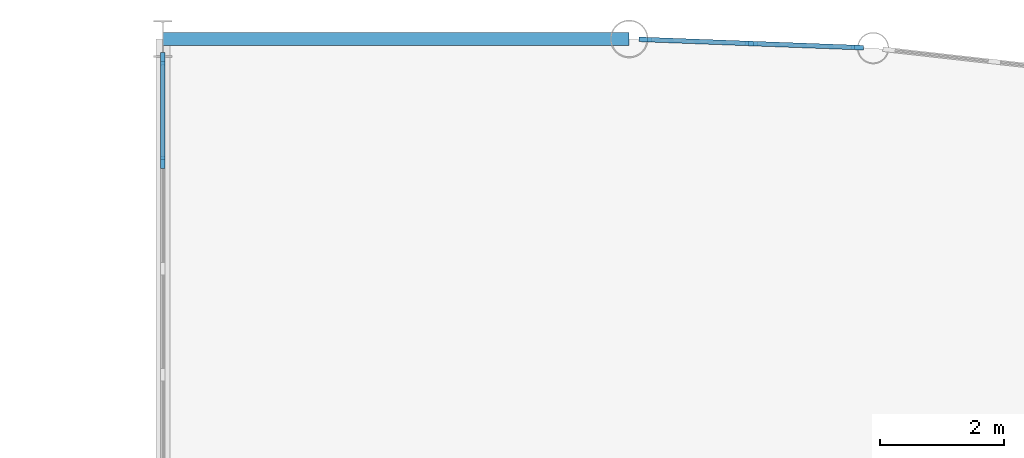
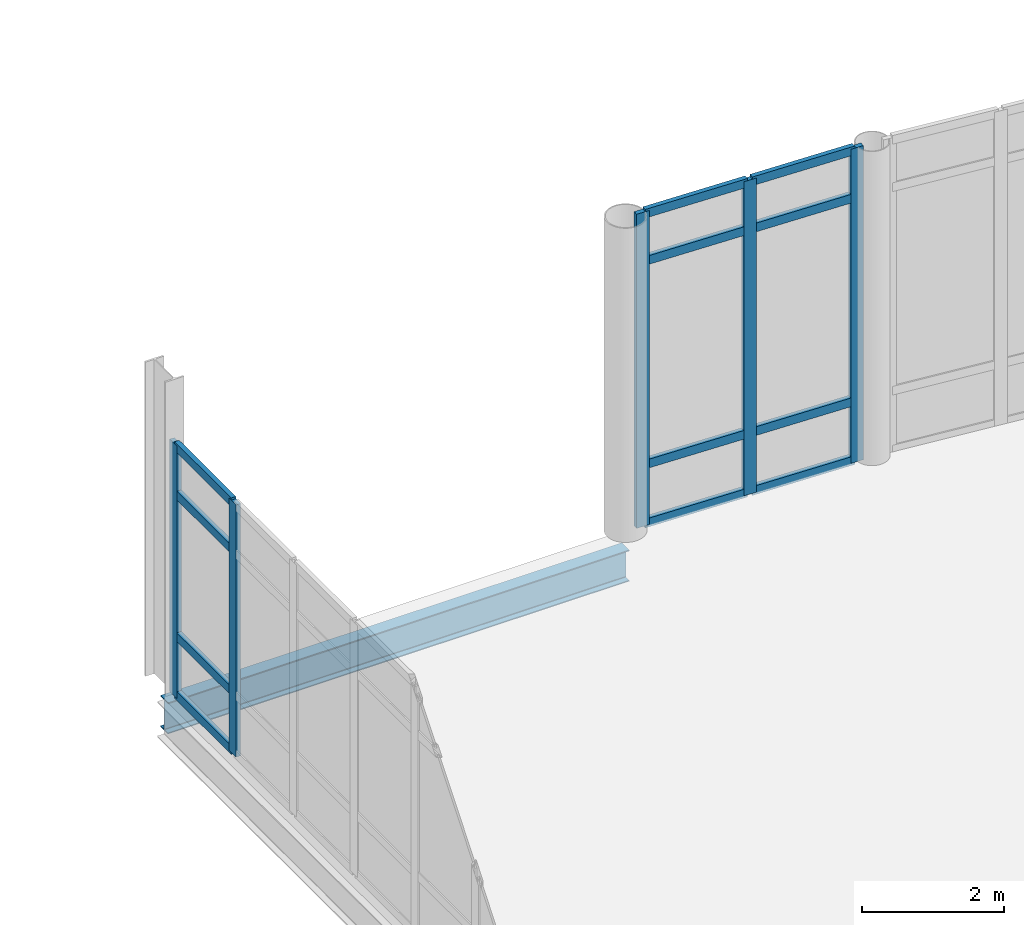
# One storey, part 62 of 111: 17 members, 1 beam, 2 elements without a shape of their own.
"""IFC4 building model written with IfcOpenShell, lengths in metres."""

from ifc_helpers import new_model, si_unit, direction, frame, origin, origin_2d, place, context, subcontext, project, spatial, rectangle, i_section, extrude, material, layer, layer_set, material_profile, profile_set, type_object, element, aggregate, save


model = new_model("IFC4")

# Units and contexts
model_context = context("Model", 3, precision=1e-05, world=origin(), true_north=direction((0.0, 1.0)))
body_context = subcontext(model_context, "Body", "Model", "MODEL_VIEW")
ifc_project = project(units=[si_unit("LENGTHUNIT", "METRE"), si_unit("AREAUNIT", "SQUARE_METRE"), si_unit("VOLUMEUNIT", "CUBIC_METRE"), si_unit("PLANEANGLEUNIT", "RADIAN"), si_unit("MASSUNIT", "GRAM", prefix="KILO"), si_unit("THERMODYNAMICTEMPERATUREUNIT", "KELVIN"), si_unit("POWERUNIT", "WATT")], contexts=[model_context])

# Site, building, storey
site_placement = place(None, origin())
site = spatial("IfcSite", under=ifc_project, at=site_placement, CompositionType="ELEMENT")
building_placement = place(site_placement, origin())
building = spatial("IfcBuilding", under=site, at=building_placement, Name="Tembeka Court Mobility Hub", CompositionType="ELEMENT")
storey_placement = place(building_placement, origin())
storey = spatial("IfcBuildingStorey", under=building, at=storey_placement, Name="L00", CompositionType="ELEMENT", Elevation=0.0)

# Beam
ifc_material_1 = material(Name="Steel S355", Category="steel")
ifc_material_profile_1 = material_profile(ifc_material_1, i_section(OverallWidth=0.2099609375, OverallDepth=0.537109375, WebThickness=0.0107421875, FlangeThickness=0.017333984375, FilletRadius=0.0126953125, at=origin_2d()), Name="UKB 533x210x101")
ifc_profile_set_1 = profile_set([ifc_material_profile_1], Name="Steel S355")
beam_type = type_object("IfcBeamType", Name="BM-G03", PredefinedType="USERDEFINED", material=ifc_profile_set_1)
beam_placement = place(storey_placement, frame((116.39990234375, 118.800048828125, -0.548583984375), z_axis=(1.0, 0.0, 0.0), x_axis=(0.0, 1.0, 0.0)))
element("IfcBeam", 1, at=beam_placement, inside=storey, type_object=beam_type, Name="Beam G03 (BM-L00-X0163)", ObjectType="GIRDER", PredefinedType="USERDEFINED", context=body_context, shape_type="SweptSolid", body=[
    extrude(i_section(OverallWidth=0.2099609375, OverallDepth=0.537109375, WebThickness=0.0107421875, FlangeThickness=0.017333984375, FilletRadius=0.0126953125, at=origin_2d()), origin(), (0.0, 0.0, 1.0), 7.5),
])

# Curtain wall, members
ifc_material_2 = material(Name="Anodised aluminium 6063-T6", Category="aluminium")
ifc_layer_1 = layer(ifc_material_2, 0.199951171875)
ifc_layer_set_1 = layer_set([ifc_layer_1], Name="Anodised aluminium 6063-T6")
curtain_wall_type_1 = type_object("IfcCurtainWallType", Name="CW-SYS24", PredefinedType="USERDEFINED", material=ifc_layer_set_1)
curtain_wall_1_placement = place(storey_placement, origin())
curtain_wall_1 = element("IfcCurtainWall", 2, at=curtain_wall_1_placement, inside=storey, type_object=curtain_wall_type_1, Name="Unitised curtain wall CW24 (CW-L00-081)", ObjectType="UNITISED GLAZING", PredefinedType="USERDEFINED")
ifc_material_profile_2 = material_profile(ifc_material_2, rectangle(XDim=0.074951171875, YDim=0.199951171875, at=origin_2d()), Name="ALU-MUL 75x200")
ifc_profile_set_2 = profile_set([ifc_material_profile_2], Name="Anodised aluminium 6063-T6")
member_type_1 = type_object("IfcMemberType", Name="CW-MUL02", PredefinedType="MULLION", material=ifc_profile_set_2)
member_1_placement = place(storey_placement, frame((127.56591796875, 118.662841796875, 0.0), z_axis=(0.0, 0.0, 1.0), x_axis=(-0.037405271186, -0.999300177968, 0.0)))
member_1 = element("IfcMember", 3, at=member_1_placement, type_object=member_type_1, Name="CW24 mullion 1", PredefinedType="MULLION", context=body_context, shape_type="SweptSolid", body=[
    extrude(rectangle(XDim=0.074951171875, YDim=0.199951171875, at=origin_2d()), origin(), (0.0, 0.0, 1.0), 5.39990234375),
])
member_2_placement = place(storey_placement, frame((125.861572265625, 118.7265625, 0.0), z_axis=(0.0, 0.0, 1.0), x_axis=(-0.037405271186, -0.999300177968, 0.0)))
member_2 = element("IfcMember", 4, at=member_2_placement, type_object=member_type_1, Name="CW24 mullion 2", PredefinedType="MULLION", context=body_context, shape_type="SweptSolid", body=[
    extrude(rectangle(XDim=0.074951171875, YDim=0.199951171875, at=origin_2d()), origin(), (0.0, 0.0, 1.0), 5.39990234375),
])
member_3_placement = place(storey_placement, frame((124.1572265625, 118.790283203125, 0.0), z_axis=(0.0, 0.0, 1.0), x_axis=(-0.037405271186, -0.999300177968, 0.0)))
member_3 = element("IfcMember", 5, at=member_3_placement, type_object=member_type_1, Name="CW24 mullion 3", PredefinedType="MULLION", context=body_context, shape_type="SweptSolid", body=[
    extrude(rectangle(XDim=0.074951171875, YDim=0.199951171875, at=origin_2d()), origin(), (0.0, 0.0, 1.0), 5.39990234375),
])

ifc_layer_2 = layer(ifc_material_2, 0.159912109375)
ifc_layer_set_2 = layer_set([ifc_layer_2], Name="Anodised aluminium 6063-T6")
curtain_wall_type_2 = type_object("IfcCurtainWallType", Name="CW-SYS18", PredefinedType="USERDEFINED", material=ifc_layer_set_2)
curtain_wall_2_placement = place(storey_placement, origin())
curtain_wall_2 = element("IfcCurtainWall", 6, at=curtain_wall_2_placement, inside=storey, type_object=curtain_wall_type_2, Name="Unitised curtain wall CW18 (CW-L00-091)", ObjectType="UNITISED GLAZING", PredefinedType="USERDEFINED")
member_4_placement = place(storey_placement, frame((116.39990234375, 116.813232421875, 0.0), z_axis=(0.0, 0.0, 1.0), x_axis=(-1.0, 0.0, 0.0)))
member_4 = element("IfcMember", 7, at=member_4_placement, type_object=member_type_1, Name="CW18 mullion 6", PredefinedType="MULLION", context=body_context, shape_type="SweptSolid", body=[
    extrude(rectangle(XDim=0.074951171875, YDim=0.199951171875, at=origin_2d()), origin(), (0.0, 0.0, 1.0), 4.3349609375),
])
member_5_placement = place(storey_placement, frame((116.39990234375, 118.482421875, 0.0), z_axis=(0.0, 0.0, 1.0), x_axis=(-1.0, 0.0, 0.0)))
member_5 = element("IfcMember", 8, at=member_5_placement, type_object=member_type_1, Name="CW18 mullion 7", PredefinedType="MULLION", context=body_context, shape_type="SweptSolid", body=[
    extrude(rectangle(XDim=0.074951171875, YDim=0.199951171875, at=origin_2d()), origin(), (0.0, 0.0, 1.0), 4.3349609375),
])

# Member
ifc_material_profile_3 = material_profile(ifc_material_2, rectangle(XDim=0.074951171875, YDim=0.14990234375, at=origin_2d()), Name="ALU-TRN 75x150")
ifc_profile_set_3 = profile_set([ifc_material_profile_3], Name="Anodised aluminium 6063-T6")
member_type_2 = type_object("IfcMemberType", Name="CW-TRN02", PredefinedType="USERDEFINED", material=ifc_profile_set_3)
member_6_placement = place(storey_placement, frame((127.528564453125, 118.664306640625, 0.03759765625), z_axis=(-0.999304746485, 0.037283020958, 0.0), x_axis=(-0.037283020958, -0.999304746485, 0.0)))
member_6 = element("IfcMember", 9, at=member_6_placement, type_object=member_type_2, Name="CW24 transom 1.1", ObjectType="TRANSOM", PredefinedType="USERDEFINED", context=body_context, shape_type="SweptSolid", body=[
    extrude(rectangle(XDim=0.074951171875, YDim=0.14990234375, at=origin_2d()), origin(), (0.0, 0.0, 1.0), 1.630615234375),
])

member_7_placement = place(storey_placement, frame((127.528564453125, 118.664306640625, 1.050048828125), z_axis=(-0.999304746485, 0.037283020958, 0.0), x_axis=(-0.037283020958, -0.999304746485, 0.0)))
member_7 = element("IfcMember", 10, at=member_7_placement, type_object=member_type_2, Name="CW24 transom 1.2", ObjectType="TRANSOM", PredefinedType="USERDEFINED", context=body_context, shape_type="SweptSolid", body=[
    extrude(rectangle(XDim=0.074951171875, YDim=0.14990234375, at=origin_2d()), origin(), (0.0, 0.0, 1.0), 1.630615234375),
])

member_8_placement = place(storey_placement, frame((127.528564453125, 118.664306640625, 4.550048828125), z_axis=(-0.999304746485, 0.037283020958, 0.0), x_axis=(-0.037283020958, -0.999304746485, 0.0)))
member_8 = element("IfcMember", 11, at=member_8_placement, type_object=member_type_2, Name="CW24 transom 1.3", ObjectType="TRANSOM", PredefinedType="USERDEFINED", context=body_context, shape_type="SweptSolid", body=[
    extrude(rectangle(XDim=0.074951171875, YDim=0.14990234375, at=origin_2d()), origin(), (0.0, 0.0, 1.0), 1.630615234375),
])

member_9_placement = place(storey_placement, frame((127.528564453125, 118.664306640625, 5.362548828125), z_axis=(-0.999304746485, 0.037283020958, 0.0), x_axis=(-0.037283020958, -0.999304746485, 0.0)))
member_9 = element("IfcMember", 12, at=member_9_placement, type_object=member_type_2, Name="CW24 transom 1.4", ObjectType="TRANSOM", PredefinedType="USERDEFINED", context=body_context, shape_type="SweptSolid", body=[
    extrude(rectangle(XDim=0.074951171875, YDim=0.14990234375, at=origin_2d()), origin(), (0.0, 0.0, 1.0), 1.630615234375),
])

member_10_placement = place(storey_placement, frame((125.82421875, 118.72802734375, 0.03759765625), z_axis=(-0.999299156787, 0.037432542583, 0.0), x_axis=(-0.037432542583, -0.999299156787, 0.0)))
member_10 = element("IfcMember", 13, at=member_10_placement, type_object=member_type_2, Name="CW24 transom 2.1", ObjectType="TRANSOM", PredefinedType="USERDEFINED", context=body_context, shape_type="SweptSolid", body=[
    extrude(rectangle(XDim=0.074951171875, YDim=0.14990234375, at=origin_2d()), origin(), (0.0, 0.0, 1.0), 1.630615234375),
])

member_11_placement = place(storey_placement, frame((125.82421875, 118.72802734375, 1.050048828125), z_axis=(-0.999299156787, 0.037432542583, 0.0), x_axis=(-0.037432542583, -0.999299156787, 0.0)))
member_11 = element("IfcMember", 14, at=member_11_placement, type_object=member_type_2, Name="CW24 transom 2.2", ObjectType="TRANSOM", PredefinedType="USERDEFINED", context=body_context, shape_type="SweptSolid", body=[
    extrude(rectangle(XDim=0.074951171875, YDim=0.14990234375, at=origin_2d()), origin(), (0.0, 0.0, 1.0), 1.630615234375),
])

member_12_placement = place(storey_placement, frame((125.82421875, 118.72802734375, 4.550048828125), z_axis=(-0.999299156787, 0.037432542583, 0.0), x_axis=(-0.037432542583, -0.999299156787, 0.0)))
member_12 = element("IfcMember", 15, at=member_12_placement, type_object=member_type_2, Name="CW24 transom 2.3", ObjectType="TRANSOM", PredefinedType="USERDEFINED", context=body_context, shape_type="SweptSolid", body=[
    extrude(rectangle(XDim=0.074951171875, YDim=0.14990234375, at=origin_2d()), origin(), (0.0, 0.0, 1.0), 1.630615234375),
])

member_13_placement = place(storey_placement, frame((125.82421875, 118.72802734375, 5.362548828125), z_axis=(-0.999299156787, 0.037432542583, 0.0), x_axis=(-0.037432542583, -0.999299156787, 0.0)))
member_13 = element("IfcMember", 16, at=member_13_placement, type_object=member_type_2, Name="CW24 transom 2.4", ObjectType="TRANSOM", PredefinedType="USERDEFINED", context=body_context, shape_type="SweptSolid", body=[
    extrude(rectangle(XDim=0.074951171875, YDim=0.14990234375, at=origin_2d()), origin(), (0.0, 0.0, 1.0), 1.630615234375),
])

aggregate(curtain_wall_1, [member_1, member_2, member_3, member_6, member_7, member_8, member_9, member_10, member_11, member_12, member_13])

member_14_placement = place(storey_placement, frame((116.39990234375, 116.850830078125, 0.03759765625), z_axis=(0.0, 1.0, 0.0), x_axis=(-1.0, 0.0, 0.0)))
member_14 = element("IfcMember", 17, at=member_14_placement, type_object=member_type_2, Name="CW18 transom 6.1", ObjectType="TRANSOM", PredefinedType="USERDEFINED", context=body_context, shape_type="SweptSolid", body=[
    extrude(rectangle(XDim=0.074951171875, YDim=0.14990234375, at=origin_2d()), origin(), (0.0, 0.0, 1.0), 1.59423828125),
])

member_15_placement = place(storey_placement, frame((116.39990234375, 116.850830078125, 1.050048828125), z_axis=(0.0, 1.0, 0.0), x_axis=(-1.0, 0.0, 0.0)))
member_15 = element("IfcMember", 18, at=member_15_placement, type_object=member_type_2, Name="CW18 transom 6.2", ObjectType="TRANSOM", PredefinedType="USERDEFINED", context=body_context, shape_type="SweptSolid", body=[
    extrude(rectangle(XDim=0.074951171875, YDim=0.14990234375, at=origin_2d()), origin(), (0.0, 0.0, 1.0), 1.59423828125),
])

member_16_placement = place(storey_placement, frame((116.39990234375, 116.850830078125, 3.485107421875), z_axis=(0.0, 1.0, 0.0), x_axis=(-1.0, 0.0, 0.0)))
member_16 = element("IfcMember", 19, at=member_16_placement, type_object=member_type_2, Name="CW18 transom 6.3", ObjectType="TRANSOM", PredefinedType="USERDEFINED", context=body_context, shape_type="SweptSolid", body=[
    extrude(rectangle(XDim=0.074951171875, YDim=0.14990234375, at=origin_2d()), origin(), (0.0, 0.0, 1.0), 1.59423828125),
])

member_17_placement = place(storey_placement, frame((116.39990234375, 116.850830078125, 4.297607421875), z_axis=(0.0, 1.0, 0.0), x_axis=(-1.0, 0.0, 0.0)))
member_17 = element("IfcMember", 20, at=member_17_placement, type_object=member_type_2, Name="CW18 transom 6.4", ObjectType="TRANSOM", PredefinedType="USERDEFINED", context=body_context, shape_type="SweptSolid", body=[
    extrude(rectangle(XDim=0.074951171875, YDim=0.14990234375, at=origin_2d()), origin(), (0.0, 0.0, 1.0), 1.59423828125),
])

aggregate(curtain_wall_2, [member_4, member_5, member_14, member_15, member_16, member_17])

save(model, "model.ifc")
